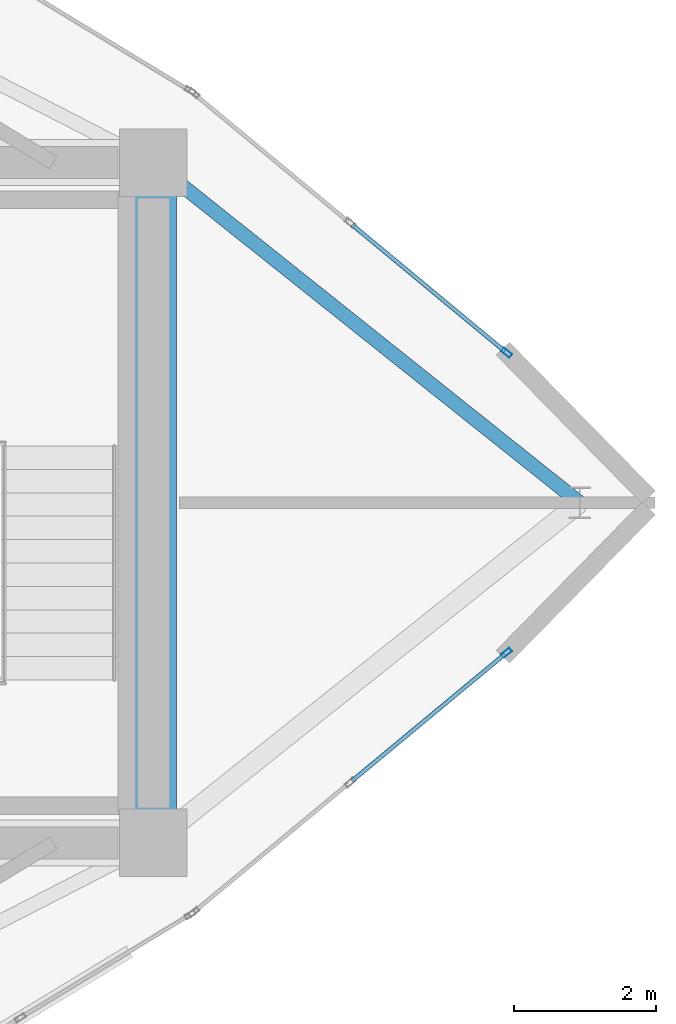
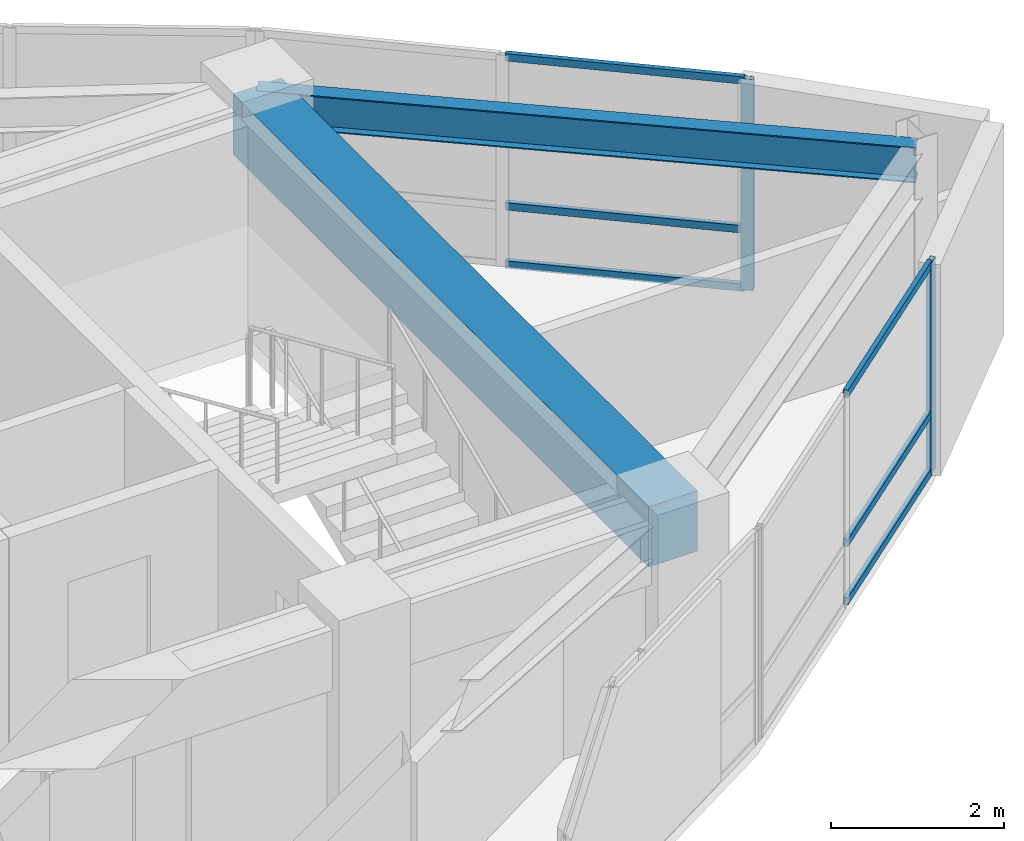
# One storey, part 6 of 14: 8 members, 2 beams, 2 elements without a shape of their own.
"""IFC4 building model written with IfcOpenShell, lengths in metres."""

from ifc_helpers import new_model, si_unit, direction, frame, origin, origin_2d, place, context, subcontext, project, spatial, rectangle, hollow_rectangle, i_section, extrude, material, layer, layer_set, material_profile, profile_set, type_object, element, aggregate, save


model = new_model("IFC4")

# Units and contexts
model_context = context("Model", 3, precision=1e-05, world=origin(), true_north=direction((0.0, 1.0)))
body_context = subcontext(model_context, "Body", "Model", "MODEL_VIEW")
ifc_project = project(units=[si_unit("LENGTHUNIT", "METRE"), si_unit("AREAUNIT", "SQUARE_METRE"), si_unit("VOLUMEUNIT", "CUBIC_METRE"), si_unit("PLANEANGLEUNIT", "RADIAN"), si_unit("MASSUNIT", "GRAM", prefix="KILO")], contexts=[model_context])

# Site, building, storey
site_placement = place(None, origin())
site = spatial("IfcSite", under=ifc_project, at=site_placement, CompositionType="ELEMENT")
building_placement = place(site_placement, origin())
building = spatial("IfcBuilding", under=site, at=building_placement, Name="Menara Vayukalpa", CompositionType="ELEMENT")
storey_placement = place(building_placement, frame((0.0, 0.0, 305.6201171875)))
storey = spatial("IfcBuildingStorey", under=building, at=storey_placement, Name="L78", CompositionType="ELEMENT", Elevation=305.6201171875)

# Beams
ifc_material_1 = material(Name="Concrete C60/75", Category="concrete")
ifc_material_profile_1 = material_profile(ifc_material_1, rectangle(XDim=0.64990234375, YDim=0.85009765625, at=origin_2d()), Name="RC 650x850")
ifc_profile_set_1 = profile_set([ifc_material_profile_1], Name="Concrete C60/75")
beam_type_1 = type_object("IfcBeamType", Name="BM-CB1", PredefinedType="BEAM", material=ifc_profile_set_1)
beam_1_placement = place(storey_placement, frame((33.39990234375, 17.199951171875, 2.554931640625), z_axis=(0.0, 1.0, 0.0), x_axis=(-1.0, 0.0, 0.0)))
element("IfcBeam", 1, at=beam_1_placement, inside=storey, type_object=beam_type_1, Name="L78 Core Tie Beam CBR8", PredefinedType="BEAM", context=body_context, shape_type="SweptSolid", body=[
    extrude(rectangle(XDim=0.64990234375, YDim=0.85009765625, at=origin_2d()), origin(), (0.0, 0.0, 1.0), 9.60009765625),
])
ifc_material_2 = material(Name="Steel S355", Category="steel")
ifc_material_profile_2 = material_profile(ifc_material_2, i_section(OverallWidth=0.199951171875, OverallDepth=0.5, WebThickness=0.010009765625, FlangeThickness=0.01611328125, at=origin_2d()), Name="WF 500x200x10x16")
ifc_profile_set_2 = profile_set([ifc_material_profile_2], Name="Steel S355")
beam_type_2 = type_object("IfcBeamType", Name="BM-SP3", PredefinedType="SPANDREL", material=ifc_profile_set_2)
beam_2_placement = place(storey_placement, frame((39.4189453125, 22.0, 2.72998046875), z_axis=(-0.781830074652, 0.6234915672, 0.0), x_axis=(-0.6234915672, -0.781830074652, 0.0)))
element("IfcBeam", 2, at=beam_2_placement, inside=storey, type_object=beam_type_2, Name="L78 Perimeter Spandrel Beam SP01", PredefinedType="SPANDREL", context=body_context, shape_type="SweptSolid", body=[
    extrude(i_section(OverallWidth=0.199951171875, OverallDepth=0.5, WebThickness=0.010009765625, FlangeThickness=0.01611328125, at=origin_2d()), origin(), (0.0, 0.0, 1.0), 7.69873046875),
])

# Curtain wall, member
ifc_material_3 = material(Name="Anodised Terracotta Aluminium Alloy 6063-T6", Category="masonry")
ifc_layer = layer(ifc_material_3, 0.14990234375)
ifc_layer_set = layer_set([ifc_layer], Name="Anodised Terracotta Aluminium Alloy 6063-T6")
curtain_wall_type = type_object("IfcCurtainWallType", Name="CW-CW7", PredefinedType="USERDEFINED", material=ifc_layer_set)
curtain_wall_1_placement = place(storey_placement, origin())
curtain_wall_1 = element("IfcCurtainWall", 3, at=curtain_wall_1_placement, inside=storey, type_object=curtain_wall_type, Name="L78 Crown Drum Screened Curtain Wall CW7 03", ObjectType="UNITISED", PredefinedType="USERDEFINED")
ifc_material_4 = material(Name="Anodised Terracotta Aluminium Alloy 6063-T6", Category="masonry")
ifc_material_profile_3 = material_profile(ifc_material_4, hollow_rectangle(XDim=0.06494140625, YDim=0.14990234375, WallThickness=0.00341796875, at=origin_2d()), Name="ALU 65x150x3.5")
ifc_profile_set_3 = profile_set([ifc_material_profile_3], Name="Anodised Terracotta Aluminium Alloy 6063-T6")
member_type_1 = type_object("IfcMemberType", Name="CWM-CW7", PredefinedType="MULLION", material=ifc_profile_set_3)
member_1_placement = place(storey_placement, frame((38.3857421875, 24.1171875, 0.0), z_axis=(0.0, 0.0, 1.0), x_axis=(-0.63834658997, -0.7697490702, 0.0)))
member_1 = element("IfcMember", 4, at=member_1_placement, type_object=member_type_1, Name="CW7 mullion 1", PredefinedType="MULLION", context=body_context, shape_type="SweptSolid", body=[
    extrude(hollow_rectangle(XDim=0.06494140625, YDim=0.14990234375, WallThickness=0.00341796875, at=origin_2d()), origin(), (0.0, 0.0, 1.0), 2.97998046875),
])

curtain_wall_2_placement = place(storey_placement, origin())
curtain_wall_2 = element("IfcCurtainWall", 5, at=curtain_wall_2_placement, inside=storey, type_object=curtain_wall_type, Name="L78 Crown Drum Screened Curtain Wall CW7 18", ObjectType="UNITISED", PredefinedType="USERDEFINED")
member_2_placement = place(storey_placement, frame((38.3857421875, 19.8828125, 0.0), z_axis=(0.0, 0.0, 1.0), x_axis=(-0.63834658997, 0.7697490702, 0.0)))
member_2 = element("IfcMember", 6, at=member_2_placement, type_object=member_type_1, Name="CW7 mullion 3", PredefinedType="MULLION", context=body_context, shape_type="SweptSolid", body=[
    extrude(hollow_rectangle(XDim=0.06494140625, YDim=0.14990234375, WallThickness=0.00341796875, at=origin_2d()), origin(), (0.0, 0.0, 1.0), 2.97998046875),
])

# Member
ifc_material_5 = material(Name="Anodised Terracotta Aluminium Alloy 6063-T6", Category="masonry")
ifc_material_profile_4 = material_profile(ifc_material_5, hollow_rectangle(XDim=0.06005859375, YDim=0.10498046875, WallThickness=0.0029296875, at=origin_2d()), Name="ALU 60x105x3")
ifc_profile_set_4 = profile_set([ifc_material_profile_4], Name="Anodised Terracotta Aluminium Alloy 6063-T6")
member_type_2 = type_object("IfcMemberType", Name="CWT-CW7", PredefinedType="USERDEFINED", material=ifc_profile_set_4)
member_3_placement = place(storey_placement, frame((38.360595703125, 24.137939453125, 0.02978515625), z_axis=(-0.769691097873, 0.638416489335, 0.0), x_axis=(-0.638416489335, -0.769691097873, 0.0)))
member_3 = element("IfcMember", 7, at=member_3_placement, type_object=member_type_2, Name="CW7 transom 1.1", ObjectType="TRANSOM", PredefinedType="USERDEFINED", context=body_context, shape_type="SweptSolid", body=[
    extrude(hollow_rectangle(XDim=0.06005859375, YDim=0.10498046875, WallThickness=0.0029296875, at=origin_2d()), origin(), (0.0, 0.0, 1.0), 2.80078125),
])

member_4_placement = place(storey_placement, frame((38.360595703125, 24.137939453125, 0.849853515625), z_axis=(-0.769691097873, 0.638416489335, 0.0), x_axis=(-0.638416489335, -0.769691097873, 0.0)))
member_4 = element("IfcMember", 8, at=member_4_placement, type_object=member_type_2, Name="CW7 transom 1.2", ObjectType="TRANSOM", PredefinedType="USERDEFINED", context=body_context, shape_type="SweptSolid", body=[
    extrude(hollow_rectangle(XDim=0.06005859375, YDim=0.10498046875, WallThickness=0.0029296875, at=origin_2d()), origin(), (0.0, 0.0, 1.0), 2.80078125),
])

member_5_placement = place(storey_placement, frame((38.360595703125, 24.137939453125, 2.949951171875), z_axis=(-0.769691097873, 0.638416489335, 0.0), x_axis=(-0.638416489335, -0.769691097873, 0.0)))
member_5 = element("IfcMember", 9, at=member_5_placement, type_object=member_type_2, Name="CW7 transom 1.3", ObjectType="TRANSOM", PredefinedType="USERDEFINED", context=body_context, shape_type="SweptSolid", body=[
    extrude(hollow_rectangle(XDim=0.06005859375, YDim=0.10498046875, WallThickness=0.0029296875, at=origin_2d()), origin(), (0.0, 0.0, 1.0), 2.80078125),
])

aggregate(curtain_wall_1, [member_1, member_3, member_4, member_5])

member_6_placement = place(storey_placement, frame((36.204833984375, 18.073974609375, 0.02978515625), z_axis=(0.769691097873, 0.638416489335, 0.0), x_axis=(-0.638416489335, 0.769691097873, 0.0)))
member_6 = element("IfcMember", 10, at=member_6_placement, type_object=member_type_2, Name="CW7 transom 2.1", ObjectType="TRANSOM", PredefinedType="USERDEFINED", context=body_context, shape_type="SweptSolid", body=[
    extrude(hollow_rectangle(XDim=0.06005859375, YDim=0.10498046875, WallThickness=0.0029296875, at=origin_2d()), origin(), (0.0, 0.0, 1.0), 2.80078125),
])

member_7_placement = place(storey_placement, frame((36.204833984375, 18.073974609375, 0.849853515625), z_axis=(0.769691097873, 0.638416489335, 0.0), x_axis=(-0.638416489335, 0.769691097873, 0.0)))
member_7 = element("IfcMember", 11, at=member_7_placement, type_object=member_type_2, Name="CW7 transom 2.2", ObjectType="TRANSOM", PredefinedType="USERDEFINED", context=body_context, shape_type="SweptSolid", body=[
    extrude(hollow_rectangle(XDim=0.06005859375, YDim=0.10498046875, WallThickness=0.0029296875, at=origin_2d()), origin(), (0.0, 0.0, 1.0), 2.80078125),
])

member_8_placement = place(storey_placement, frame((36.204833984375, 18.073974609375, 2.949951171875), z_axis=(0.769691097873, 0.638416489335, 0.0), x_axis=(-0.638416489335, 0.769691097873, 0.0)))
member_8 = element("IfcMember", 12, at=member_8_placement, type_object=member_type_2, Name="CW7 transom 2.3", ObjectType="TRANSOM", PredefinedType="USERDEFINED", context=body_context, shape_type="SweptSolid", body=[
    extrude(hollow_rectangle(XDim=0.06005859375, YDim=0.10498046875, WallThickness=0.0029296875, at=origin_2d()), origin(), (0.0, 0.0, 1.0), 2.80078125),
])

aggregate(curtain_wall_2, [member_2, member_6, member_7, member_8])

save(model, "model.ifc")
